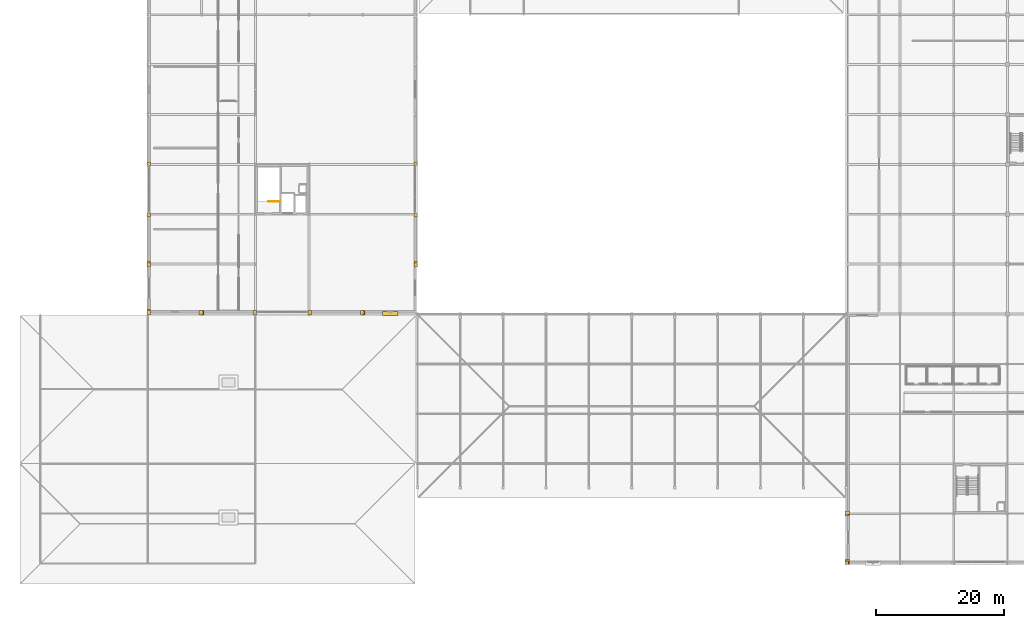
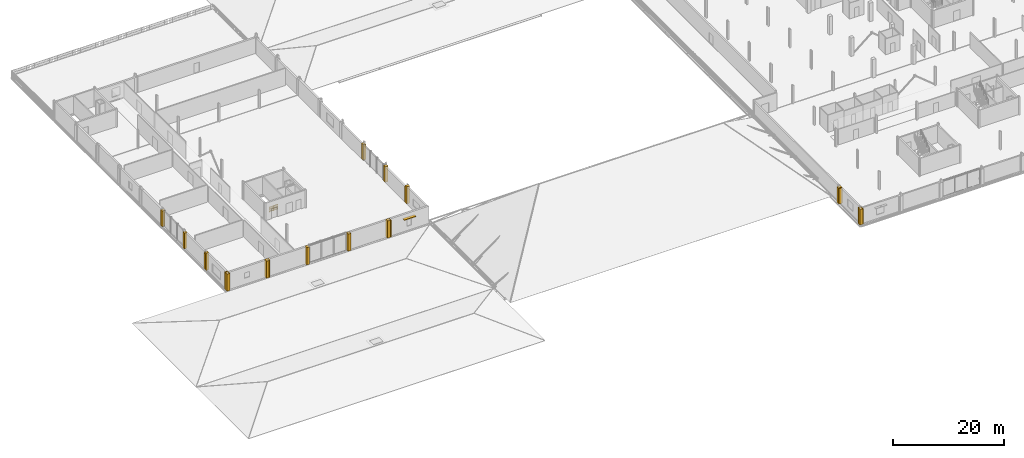
# One storey, part 69 of 77: 20 coverings, 1 railing, 1 shading device.
"""IFC4 building model written with IfcOpenShell, lengths in metres."""

from ifc_helpers import new_model, si_unit, direction, frame, origin, origin_2d, place, context, subcontext, project, spatial, polyline, rectangle, circle, outline, extrude, material, layer, layer_set, type_object, element, save


model = new_model("IFC4")

# Units and contexts
model_context = context("Model", 3, precision=1e-05, world=origin(), true_north=direction((0.0, 1.0)))
body_context = subcontext(model_context, "Body", "Model", "MODEL_VIEW")
ifc_project = project(units=[si_unit("LENGTHUNIT", "METRE"), si_unit("AREAUNIT", "SQUARE_METRE"), si_unit("VOLUMEUNIT", "CUBIC_METRE"), si_unit("PLANEANGLEUNIT", "RADIAN"), si_unit("MASSUNIT", "GRAM", prefix="KILO")], contexts=[model_context])

# Site, building, storey
site_placement = place(None, origin())
site = spatial("IfcSite", under=ifc_project, at=site_placement, CompositionType="ELEMENT")
building_placement = place(site_placement, origin())
building = spatial("IfcBuilding", under=site, at=building_placement, Name="Nabrawat Pavilion Hospital", CompositionType="ELEMENT")
storey_placement = place(building_placement, frame((0.0, 0.0, 14.85009765625)))
storey = spatial("IfcBuildingStorey", under=building, at=storey_placement, Name="L03", CompositionType="ELEMENT", Elevation=14.85009765625)

# Coverings
ifc_material_1 = material(Name="Precast concrete C40/50", Category="concrete")
ifc_layer_1 = layer(ifc_material_1, 0.360107421875, Name="Precast concrete C40/50")
ifc_layer_set_1 = layer_set([ifc_layer_1], Name="Precast concrete C40/50")
covering_type = type_object("IfcCoveringType", Name="Architectural Precast Column-Jamb Closure Reveal", PredefinedType="CLADDING", material=ifc_layer_set_1)
covering_1_placement = place(storey_placement, origin())
element("IfcCovering", 1, at=covering_1_placement, inside=storey, type_object=covering_type, Name="L03 Precast Facade Column-Jamb Weatherseal Closure 0431", PredefinedType="CLADDING", context=body_context, shape_type="SweptSolid", body=[
    extrude(outline(polyline([(17.199951171875, 38.820068359375), (17.199951171875, 39.739990234375), (16.6201171875, 39.739990234375), (16.6201171875, 38.820068359375), (17.199951171875, 38.820068359375)])), origin(), (0.0, 0.0, 1.0), 3.77001953125),
])
covering_2_placement = place(storey_placement, origin())
element("IfcCovering", 2, at=covering_2_placement, inside=storey, type_object=covering_type, Name="L03 Precast Facade Column-Jamb Weatherseal Closure 0432", PredefinedType="CLADDING", context=body_context, shape_type="SweptSolid", body=[
    extrude(outline(polyline([(17.199951171875, 46.39501953125), (17.199951171875, 46.97998046875), (16.6201171875, 46.97998046875), (16.6201171875, 46.39501953125), (17.199951171875, 46.39501953125)])), origin(), (0.0, 0.0, 1.0), 3.77001953125),
])
covering_3_placement = place(storey_placement, origin())
element("IfcCovering", 3, at=covering_3_placement, inside=storey, type_object=covering_type, Name="L03 Precast Facade Column-Jamb Weatherseal Closure 0433", PredefinedType="CLADDING", context=body_context, shape_type="SweptSolid", body=[
    extrude(outline(polyline([(17.199951171875, 46.6201171875), (17.199951171875, 47.205078125), (16.6201171875, 47.205078125), (16.6201171875, 46.6201171875), (17.199951171875, 46.6201171875)])), origin(), (0.0, 0.0, 1.0), 3.43994140625),
])
covering_4_placement = place(storey_placement, origin())
element("IfcCovering", 4, at=covering_4_placement, inside=storey, type_object=covering_type, Name="L03 Precast Facade Column-Jamb Weatherseal Closure 0434", PredefinedType="CLADDING", context=body_context, shape_type="SweptSolid", body=[
    extrude(outline(polyline([(17.199951171875, 54.195068359375), (17.199951171875, 54.780029296875), (16.6201171875, 54.780029296875), (16.6201171875, 54.195068359375), (17.199951171875, 54.195068359375)])), origin(), (0.0, 0.0, 1.0), 3.43994140625),
])
covering_5_placement = place(storey_placement, origin())
element("IfcCovering", 5, at=covering_5_placement, inside=storey, type_object=covering_type, Name="L03 Precast Facade Column-Jamb Weatherseal Closure 0435", PredefinedType="CLADDING", context=body_context, shape_type="SweptSolid", body=[
    extrude(outline(polyline([(17.199951171875, 62.219970703125), (17.199951171875, 62.804931640625), (16.6201171875, 62.804931640625), (16.6201171875, 62.219970703125), (17.199951171875, 62.219970703125)])), origin(), (0.0, 0.0, 1.0), 3.43994140625),
])
covering_6_placement = place(storey_placement, origin())
element("IfcCovering", 6, at=covering_6_placement, inside=storey, type_object=covering_type, Name="L03 Precast Facade Column-Jamb Weatherseal Closure 0443", PredefinedType="CLADDING", context=body_context, shape_type="SweptSolid", body=[
    extrude(outline(polyline([(17.179931640625, 38.820068359375), (17.179931640625, 39.52001953125), (16.6201171875, 39.52001953125), (16.6201171875, 38.820068359375), (17.179931640625, 38.820068359375)])), origin(), (0.0, 0.0, 1.0), 3.77001953125),
])
covering_7_placement = place(storey_placement, origin())
element("IfcCovering", 7, at=covering_7_placement, inside=storey, type_object=covering_type, Name="L03 Precast Facade Column-Jamb Weatherseal Closure 0444", PredefinedType="CLADDING", context=body_context, shape_type="SweptSolid", body=[
    extrude(outline(polyline([(25.3798828125, 38.820068359375), (25.3798828125, 39.52001953125), (24.820068359375, 39.52001953125), (24.820068359375, 38.820068359375), (25.3798828125, 38.820068359375)])), origin(), (0.0, 0.0, 1.0), 3.77001953125),
])
covering_8_placement = place(storey_placement, origin())
element("IfcCovering", 8, at=covering_8_placement, inside=storey, type_object=covering_type, Name="L03 Precast Facade Column-Jamb Weatherseal Closure 0445", PredefinedType="CLADDING", context=body_context, shape_type="SweptSolid", body=[
    extrude(outline(polyline([(25.580078125, 38.820068359375), (25.580078125, 39.52001953125), (25.02001953125, 39.52001953125), (25.02001953125, 38.820068359375), (25.580078125, 38.820068359375)])), origin(), (0.0, 0.0, 1.0), 3.77001953125),
])
covering_9_placement = place(storey_placement, origin())
element("IfcCovering", 9, at=covering_9_placement, inside=storey, type_object=covering_type, Name="L03 Precast Facade Column-Jamb Weatherseal Closure 0446", PredefinedType="CLADDING", context=body_context, shape_type="SweptSolid", body=[
    extrude(outline(polyline([(33.780029296875, 38.820068359375), (33.780029296875, 39.52001953125), (33.219970703125, 39.52001953125), (33.219970703125, 38.820068359375), (33.780029296875, 38.820068359375)])), origin(), (0.0, 0.0, 1.0), 3.77001953125),
])
covering_10_placement = place(storey_placement, origin())
element("IfcCovering", 10, at=covering_10_placement, inside=storey, type_object=covering_type, Name="L03 Precast Facade Column-Jamb Weatherseal Closure 0447", PredefinedType="CLADDING", context=body_context, shape_type="SweptSolid", body=[
    extrude(outline(polyline([(42.3798828125, 38.820068359375), (42.3798828125, 39.52001953125), (41.820068359375, 39.52001953125), (41.820068359375, 38.820068359375), (42.3798828125, 38.820068359375)])), origin(), (0.0, 0.0, 1.0), 3.77001953125),
])
covering_11_placement = place(storey_placement, origin())
element("IfcCovering", 11, at=covering_11_placement, inside=storey, type_object=covering_type, Name="L03 Precast Facade Column-Jamb Weatherseal Closure 0448", PredefinedType="CLADDING", context=body_context, shape_type="SweptSolid", body=[
    extrude(outline(polyline([(50.580078125, 38.820068359375), (50.580078125, 39.52001953125), (50.02001953125, 39.52001953125), (50.02001953125, 38.820068359375), (50.580078125, 38.820068359375)])), origin(), (0.0, 0.0, 1.0), 3.77001953125),
])
covering_12_placement = place(storey_placement, origin())
element("IfcCovering", 12, at=covering_12_placement, inside=storey, type_object=covering_type, Name="L03 Precast Facade Column-Jamb Weatherseal Closure 0449", PredefinedType="CLADDING", context=body_context, shape_type="SweptSolid", body=[
    extrude(outline(polyline([(50.780029296875, 38.820068359375), (50.780029296875, 39.52001953125), (50.219970703125, 39.52001953125), (50.219970703125, 38.820068359375), (50.780029296875, 38.820068359375)])), origin(), (0.0, 0.0, 1.0), 3.77001953125),
])
covering_13_placement = place(storey_placement, origin())
element("IfcCovering", 13, at=covering_13_placement, inside=storey, type_object=covering_type, Name="L03 Precast Facade Column-Jamb Weatherseal Closure 0454", PredefinedType="CLADDING", context=body_context, shape_type="SweptSolid", body=[
    extrude(outline(polyline([(58.97998046875, 46.39501953125), (58.97998046875, 46.97998046875), (58.39990234375, 46.97998046875), (58.39990234375, 46.39501953125), (58.97998046875, 46.39501953125)])), origin(), (0.0, 0.0, 1.0), 3.77001953125),
])
covering_14_placement = place(storey_placement, origin())
element("IfcCovering", 14, at=covering_14_placement, inside=storey, type_object=covering_type, Name="L03 Precast Facade Column-Jamb Weatherseal Closure 0455", PredefinedType="CLADDING", context=body_context, shape_type="SweptSolid", body=[
    extrude(outline(polyline([(58.97998046875, 46.6201171875), (58.97998046875, 47.205078125), (58.39990234375, 47.205078125), (58.39990234375, 46.6201171875), (58.97998046875, 46.6201171875)])), origin(), (0.0, 0.0, 1.0), 3.43994140625),
])
covering_15_placement = place(storey_placement, origin())
element("IfcCovering", 15, at=covering_15_placement, inside=storey, type_object=covering_type, Name="L03 Precast Facade Column-Jamb Weatherseal Closure 0456", PredefinedType="CLADDING", context=body_context, shape_type="SweptSolid", body=[
    extrude(outline(polyline([(58.97998046875, 54.195068359375), (58.97998046875, 54.780029296875), (58.39990234375, 54.780029296875), (58.39990234375, 54.195068359375), (58.97998046875, 54.195068359375)])), origin(), (0.0, 0.0, 1.0), 3.43994140625),
])
covering_16_placement = place(storey_placement, origin())
element("IfcCovering", 16, at=covering_16_placement, inside=storey, type_object=covering_type, Name="L03 Precast Facade Column-Jamb Weatherseal Closure 0457", PredefinedType="CLADDING", context=body_context, shape_type="SweptSolid", body=[
    extrude(outline(polyline([(58.97998046875, 62.219970703125), (58.97998046875, 62.804931640625), (58.39990234375, 62.804931640625), (58.39990234375, 62.219970703125), (58.97998046875, 62.219970703125)])), origin(), (0.0, 0.0, 1.0), 3.43994140625),
])
covering_17_placement = place(storey_placement, origin())
element("IfcCovering", 17, at=covering_17_placement, inside=storey, type_object=covering_type, Name="L03 Precast Facade Column-Jamb Weatherseal Closure 0467", PredefinedType="CLADDING", context=body_context, shape_type="SweptSolid", body=[
    extrude(outline(polyline([(126.52001953125, -0.179931640625), (126.52001953125, 0.6201171875), (125.820068359375, 0.6201171875), (125.820068359375, -0.179931640625), (126.52001953125, -0.179931640625)])), origin(), (0.0, 0.0, 1.0), 3.419921875),
])
covering_18_placement = place(storey_placement, origin())
element("IfcCovering", 18, at=covering_18_placement, inside=storey, type_object=covering_type, Name="L03 Precast Facade Column-Jamb Weatherseal Closure 0468", PredefinedType="CLADDING", context=body_context, shape_type="SweptSolid", body=[
    extrude(outline(polyline([(126.52001953125, 7.39990234375), (126.52001953125, 7.97998046875), (125.820068359375, 7.97998046875), (125.820068359375, 7.39990234375), (126.52001953125, 7.39990234375)])), origin(), (0.0, 0.0, 1.0), 3.419921875),
])
covering_19_placement = place(storey_placement, origin())
element("IfcCovering", 19, at=covering_19_placement, inside=storey, type_object=covering_type, Name="L03 Precast Facade Column-Jamb Weatherseal Closure 0469", PredefinedType="CLADDING", context=body_context, shape_type="SweptSolid", body=[
    extrude(outline(polyline([(126.52001953125, 7.6201171875), (126.52001953125, 8.199951171875), (125.820068359375, 8.199951171875), (125.820068359375, 7.6201171875), (126.52001953125, 7.6201171875)])), origin(), (0.0, 0.0, 1.0), 3.419921875),
])
covering_20_placement = place(storey_placement, origin())
element("IfcCovering", 20, at=covering_20_placement, inside=storey, type_object=covering_type, Name="L03 Precast Facade Column-Jamb Weatherseal Closure 0470", PredefinedType="CLADDING", context=body_context, shape_type="SweptSolid", body=[
    extrude(outline(polyline([(126.3798828125, -0.179931640625), (126.3798828125, 0.39990234375), (125.820068359375, 0.39990234375), (125.820068359375, -0.179931640625), (126.3798828125, -0.179931640625)])), origin(), (0.0, 0.0, 1.0), 3.419921875),
])

# Railing
ifc_material_2 = material(Name="Stainless Steel 316", Category="steel")
ifc_layer_2 = layer(ifc_material_2, 0.050048828125, Name="Stainless Steel 316")
ifc_layer_set_2 = layer_set([ifc_layer_2], Name="Stainless Steel 316")
railing_type = type_object("IfcRailingType", Name="Stair Open-Well Safety Guardrail 1100", PredefinedType="GUARDRAIL", material=ifc_layer_set_2)
railing_placement = place(storey_placement, frame((37.449951171875, 56.6201171875, 0.0)))
element("IfcRailing", 21, at=railing_placement, inside=storey, type_object=railing_type, Name="L03 ST-02 top well guard 1", PredefinedType="GUARDRAIL", context=body_context, shape_type="SweptSolid", body=[
    extrude(circle(Radius=0.02392578125, at=origin_2d()), frame((0.0, 0.0, 1.076171875), z_axis=(-1.0, 0.0, 0.0), x_axis=(0.0, -1.0, 0.0)), (0.0, 0.0, 1.0), 1.800048828125),
    extrude(circle(Radius=0.02392578125, at=origin_2d()), frame((0.0, 0.0, 0.10009765625), z_axis=(-1.0, 0.0, 0.0), x_axis=(0.0, -1.0, 0.0)), (0.0, 0.0, 1.0), 1.800048828125),
    extrude(circle(Radius=0.02392578125, at=origin_2d()), frame((0.0, 0.0, 0.60498046875), z_axis=(-1.0, 0.0, 0.0), x_axis=(0.0, -1.0, 0.0)), (0.0, 0.0, 1.0), 1.800048828125),
    extrude(circle(Radius=0.008056640625, at=origin_2d()), frame((-0.22509765625, 0.0, 0.10009765625)), (0.0, 0.0, 1.0), 0.951904296875),
    extrude(circle(Radius=0.008056640625, at=origin_2d()), frame((-0.449951171875, 0.0, 0.10009765625)), (0.0, 0.0, 1.0), 0.951904296875),
    extrude(circle(Radius=0.008056640625, at=origin_2d()), frame((-0.675048828125, 0.0, 0.10009765625)), (0.0, 0.0, 1.0), 0.951904296875),
    extrude(circle(Radius=0.008056640625, at=origin_2d()), frame((-1.125, 0.0, 0.10009765625)), (0.0, 0.0, 1.0), 0.951904296875),
    extrude(circle(Radius=0.008056640625, at=origin_2d()), frame((-1.35009765625, 0.0, 0.10009765625)), (0.0, 0.0, 1.0), 0.951904296875),
    extrude(circle(Radius=0.008056640625, at=origin_2d()), frame((-1.574951171875, 0.0, 0.10009765625)), (0.0, 0.0, 1.0), 0.951904296875),
    extrude(circle(Radius=0.02099609375, at=origin_2d()), origin(), (0.0, 0.0, 1.0), 1.052001953125),
    extrude(circle(Radius=0.02099609375, at=origin_2d()), frame((-0.89990234375, 0.0, 0.0)), (0.0, 0.0, 1.0), 1.052001953125),
    extrude(circle(Radius=0.02099609375, at=origin_2d()), frame((-1.800048828125, 0.0, 0.0)), (0.0, 0.0, 1.0), 1.052001953125),
])

# Shading device
ifc_material_3 = material(Name="Anodised Aluminium", Category="aluminium")
ifc_layer_3 = layer(ifc_material_3, 0.10009765625, Name="Anodised Aluminium")
ifc_layer_set_3 = layer_set([ifc_layer_3], Name="Anodised Aluminium")
shading_device_type = type_object("IfcShadingDeviceType", Name="Window Brow Horizontal Sun-Shading Canopy", PredefinedType="AWNING", material=ifc_layer_set_3)
shading_device_placement = place(storey_placement, frame((54.699951171875, 39.090087890625, 2.699951171875), z_axis=(0.0, 0.0, 1.0), x_axis=(1.0, 0.0, 0.0)))
element("IfcShadingDevice", 22, at=shading_device_placement, inside=storey, type_object=shading_device_type, Name="L03 Window Sun-Shading Brow Canopy 015", PredefinedType="AWNING", context=body_context, shape_type="SweptSolid", body=[
    extrude(rectangle(XDim=2.39990234375, YDim=0.64990234375, at=origin_2d()), origin(), (0.0, 0.0, 1.0), 0.10009765625),
])

save(model, "model.ifc")
